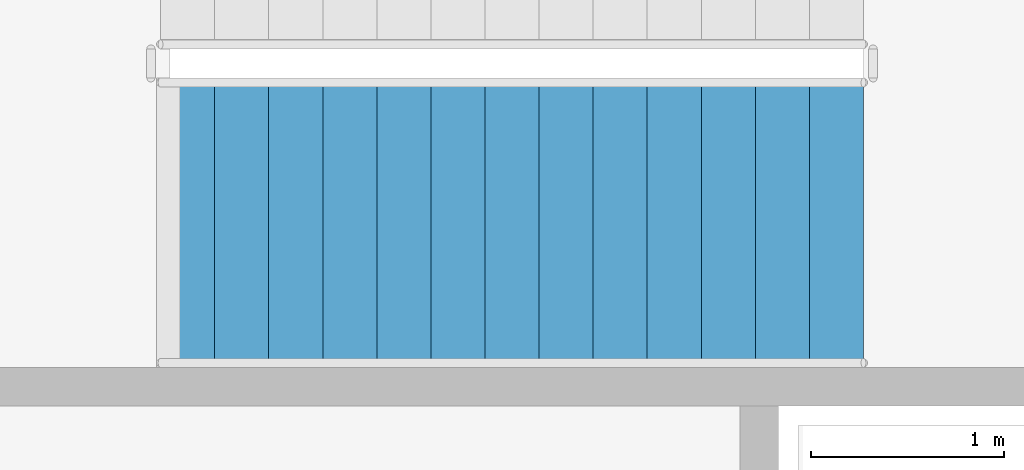
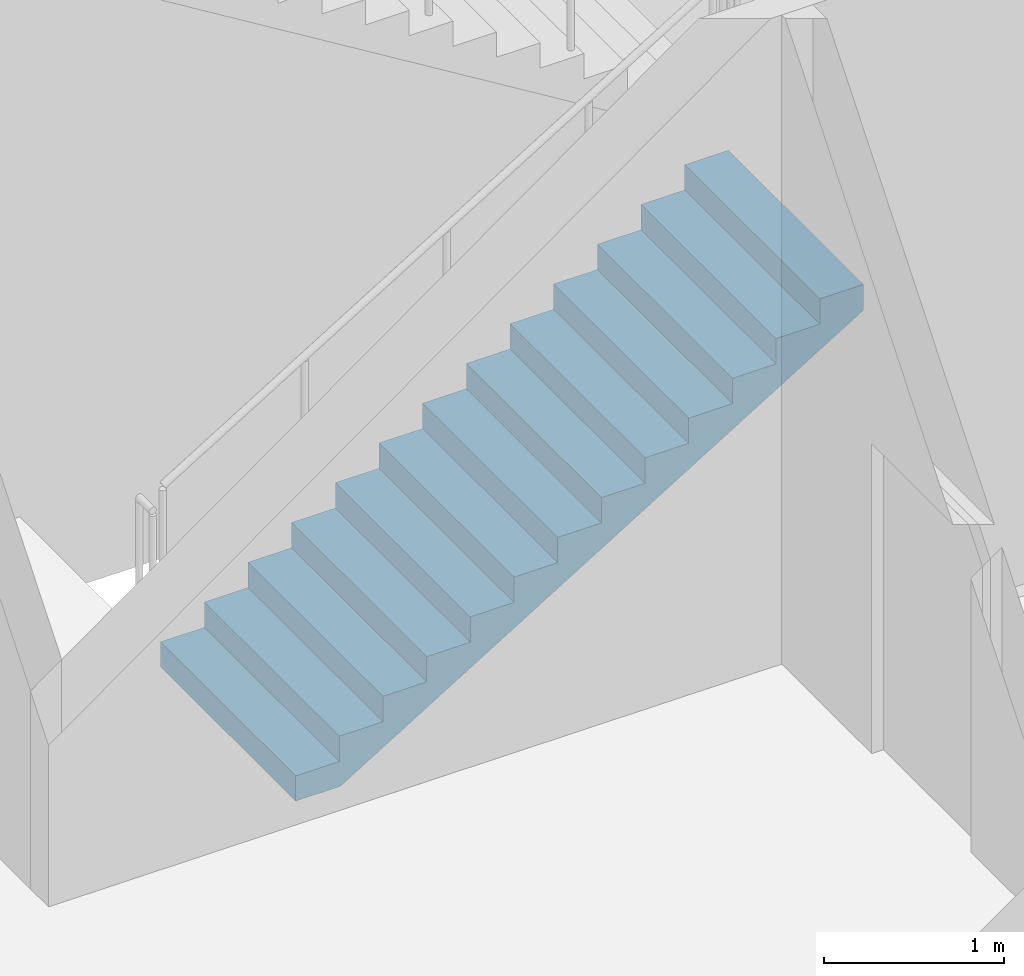
# One storey, part 71 of 91: 1 stair flight, 1 element without a shape of its own.
"""IFC4 building model written with IfcOpenShell, lengths in metres."""

from ifc_helpers import new_model, si_unit, direction, frame, origin, place, context, subcontext, project, spatial, triangles, material, type_object, element, aggregate, save


model = new_model("IFC4")

# Units and contexts
model_context = context("Model", 3, precision=1e-05, world=origin(), true_north=direction((0.0, 1.0)))
body_context = subcontext(model_context, "Body", "Model", "MODEL_VIEW")
ifc_project = project(units=[si_unit("LENGTHUNIT", "METRE"), si_unit("AREAUNIT", "SQUARE_METRE"), si_unit("VOLUMEUNIT", "CUBIC_METRE"), si_unit("PLANEANGLEUNIT", "RADIAN"), si_unit("MASSUNIT", "GRAM", prefix="KILO")], contexts=[model_context])

# Site, building, storey
site_placement = place(None, origin())
site = spatial("IfcSite", under=ifc_project, at=site_placement, CompositionType="ELEMENT")
building_placement = place(site_placement, origin())
building = spatial("IfcBuilding", under=site, at=building_placement, Name="Magnolia Steps Interchange", CompositionType="ELEMENT")
storey_placement = place(building_placement, origin())
storey = spatial("IfcBuildingStorey", under=building, at=storey_placement, Name="L00", CompositionType="ELEMENT", Elevation=0.0)

# Stair, stair flight
ifc_material_1 = material(Name="Concrete C40", Category="concrete")
stair_type = type_object("IfcStairType", Name="Exit stair 1500", PredefinedType="HALF_TURN_STAIR", material=ifc_material_1)
stair_placement = place(storey_placement, origin())
stair = element("IfcStair", 1, at=stair_placement, inside=storey, type_object=stair_type, Name="L00 Stair 3", PredefinedType="HALF_TURN_STAIR")
ifc_material_2 = material(Name="Concrete C40", Category="concrete")
stair_flight_type = type_object("IfcStairFlightType", Name="Exit stair flight", PredefinedType="STRAIGHT", material=ifc_material_2)
stair_flight_placement = place(storey_placement, frame((112.199951171875, 82.699951171875, 0.0), z_axis=(0.0, 0.0, 1.0), x_axis=(1.0, 0.0, 0.0)))
stair_flight = element("IfcStairFlight", 2, at=stair_flight_placement, type_object=stair_flight_type, Name="Stair 3 flight 1", NumberOfRisers=14, NumberOfTreads=13, PredefinedType="STRAIGHT", RiserHeight=0.171428571, TreadLength=0.28, context=body_context, shape_type="Tessellation", body=[
    triangles([(0.0, -0.75, 0.0), (0.287109375, -0.75, 0.0), (3.639892578125, -0.75, 2.052734375), (3.639892578125, -0.75, 2.228515625), (3.360107421875, -0.75, 2.228515625), (3.360107421875, -0.75, 2.05712890625), (3.080078125, -0.75, 2.05712890625), (3.080078125, -0.75, 1.8857421875), (2.800048828125, -0.75, 1.8857421875), (2.800048828125, -0.75, 1.71435546875), (2.52001953125, -0.75, 1.71435546875), (2.52001953125, -0.75, 1.54296875), (2.239990234375, -0.75, 1.54296875), (2.239990234375, -0.75, 1.371337890625), (1.9599609375, -0.75, 1.371337890625), (1.9599609375, -0.75, 1.199951171875), (1.679931640625, -0.75, 1.199951171875), (1.679931640625, -0.75, 1.028564453125), (1.39990234375, -0.75, 1.028564453125), (1.39990234375, -0.75, 0.857177734375), (1.1201171875, -0.75, 0.857177734375), (1.1201171875, -0.75, 0.685791015625), (0.840087890625, -0.75, 0.685791015625), (0.840087890625, -0.75, 0.514404296875), (0.56005859375, -0.75, 0.514404296875), (0.56005859375, -0.75, 0.3427734375), (0.280029296875, -0.75, 0.3427734375), (0.280029296875, -0.75, 0.17138671875), (0.0, -0.75, 0.17138671875), (0.0, 0.75, 0.0), (0.287109375, 0.75, 0.0), (3.639892578125, 0.75, 2.052734375), (3.639892578125, 0.75, 2.228515625), (3.360107421875, 0.75, 2.228515625), (3.360107421875, 0.75, 2.05712890625), (3.080078125, 0.75, 2.05712890625), (3.080078125, 0.75, 1.8857421875), (2.800048828125, 0.75, 1.8857421875), (2.800048828125, 0.75, 1.71435546875), (2.52001953125, 0.75, 1.71435546875), (2.52001953125, 0.75, 1.54296875), (2.239990234375, 0.75, 1.54296875), (2.239990234375, 0.75, 1.371337890625), (1.9599609375, 0.75, 1.371337890625), (1.9599609375, 0.75, 1.199951171875), (1.679931640625, 0.75, 1.199951171875), (1.679931640625, 0.75, 1.028564453125), (1.39990234375, 0.75, 1.028564453125), (1.39990234375, 0.75, 0.857177734375), (1.1201171875, 0.75, 0.857177734375), (1.1201171875, 0.75, 0.685791015625), (0.840087890625, 0.75, 0.685791015625), (0.840087890625, 0.75, 0.514404296875), (0.56005859375, 0.75, 0.514404296875), (0.56005859375, 0.75, 0.3427734375), (0.280029296875, 0.75, 0.3427734375), (0.280029296875, 0.75, 0.17138671875), (0.0, 0.75, 0.17138671875), (0.0, 0.0, 0.0), (0.0, 0.0, 0.0428466796875), (0.0, 0.0, 0.085693359375), (0.0, 0.0, 0.1285400390625), (0.0, 0.0, 0.17138671875), (0.0, -0.05, 0.0), (0.0, -0.05, 0.17138671875), (0.0, 0.05, 0.0), (0.0, 0.05, 0.17138671875), (0.046671549479166664, 0.0, 0.17138671875), (0.09334309895833333, 0.0, 0.17138671875), (0.1400146484375, 0.0, 0.17138671875), (0.18668619791666666, 0.0, 0.17138671875), (0.23335774739583334, 0.0, 0.17138671875), (0.280029296875, 0.0, 0.17138671875), (0.280029296875, -0.05, 0.17138671875), (0.280029296875, 0.05, 0.17138671875), (0.280029296875, 0.0, 0.2142333984375), (0.280029296875, 0.0, 0.257080078125), (0.280029296875, 0.0, 0.2999267578125), (0.280029296875, 0.0, 0.3427734375), (0.280029296875, -0.05, 0.3427734375), (0.280029296875, 0.05, 0.3427734375), (0.3267008463541667, 0.0, 0.3427734375), (0.3733723958333333, 0.0, 0.3427734375), (0.4200439453125, 0.0, 0.3427734375), (0.46671549479166663, 0.0, 0.3427734375), (0.5133870442708334, 0.0, 0.3427734375), (0.56005859375, 0.0, 0.3427734375), (0.56005859375, -0.05, 0.3427734375), (0.56005859375, 0.05, 0.3427734375), (0.56005859375, 0.0, 0.38568115234375), (0.56005859375, 0.0, 0.4285888671875), (0.56005859375, 0.0, 0.47149658203125), (0.56005859375, 0.0, 0.514404296875), (0.56005859375, -0.05, 0.514404296875), (0.56005859375, 0.05, 0.514404296875), (0.6067301432291666, 0.0, 0.514404296875), (0.6534016927083334, 0.0, 0.514404296875), (0.7000732421875, 0.0, 0.514404296875), (0.7467447916666666, 0.0, 0.514404296875), (0.7934163411458334, 0.0, 0.514404296875), (0.840087890625, 0.0, 0.514404296875), (0.840087890625, -0.05, 0.514404296875), (0.840087890625, 0.05, 0.514404296875), (0.840087890625, 0.0, 0.5572509765625), (0.840087890625, 0.0, 0.60009765625), (0.840087890625, 0.0, 0.6429443359375), (0.840087890625, 0.0, 0.685791015625), (0.840087890625, -0.05, 0.685791015625), (0.840087890625, 0.05, 0.685791015625), (0.8867594401041666, 0.0, 0.685791015625), (0.9334309895833334, 0.0, 0.685791015625), (0.9801025390625, 0.0, 0.685791015625), (1.0267740885416667, 0.0, 0.685791015625), (1.0734456380208333, 0.0, 0.685791015625), (1.1201171875, 0.0, 0.685791015625), (1.1201171875, -0.05, 0.685791015625), (1.1201171875, 0.05, 0.685791015625), (1.1201171875, 0.0, 0.7286376953125), (1.1201171875, 0.0, 0.771484375), (1.1201171875, 0.0, 0.8143310546875), (1.1201171875, 0.0, 0.857177734375), (1.1201171875, -0.05, 0.857177734375), (1.1201171875, 0.05, 0.857177734375), (1.1900634765625, 0.0, 0.857177734375), (1.260009765625, 0.0, 0.857177734375), (1.3299560546875, 0.0, 0.857177734375), (1.39990234375, 0.0, 0.857177734375), (1.39990234375, -0.05, 0.857177734375), (1.39990234375, 0.05, 0.857177734375), (1.39990234375, 0.0, 0.9000244140625), (1.39990234375, 0.0, 0.94287109375), (1.39990234375, 0.0, 0.9857177734375), (1.39990234375, 0.0, 1.028564453125), (1.39990234375, -0.05, 1.028564453125), (1.39990234375, 0.05, 1.028564453125), (1.4465738932291667, 0.0, 1.028564453125), (1.4932454427083333, 0.0, 1.028564453125), (1.5399169921875, 0.0, 1.028564453125), (1.5865885416666667, 0.0, 1.028564453125), (1.6332600911458333, 0.0, 1.028564453125), (1.679931640625, 0.0, 1.028564453125), (1.679931640625, -0.05, 1.028564453125), (1.679931640625, 0.05, 1.028564453125), (1.679931640625, 0.0, 1.0714111328125), (1.679931640625, 0.0, 1.1142578125), (1.679931640625, 0.0, 1.1571044921875), (1.679931640625, 0.0, 1.199951171875), (1.679931640625, -0.05, 1.199951171875), (1.679931640625, 0.05, 1.199951171875), (1.7266031901041667, 0.0, 1.199951171875), (1.7732747395833333, 0.0, 1.199951171875), (1.8199462890625, 0.0, 1.199951171875), (1.8666178385416667, 0.0, 1.199951171875), (1.9132893880208333, 0.0, 1.199951171875), (1.9599609375, 0.0, 1.199951171875), (1.9599609375, -0.05, 1.199951171875), (1.9599609375, 0.05, 1.199951171875), (1.9599609375, 0.0, 1.2427978515625), (1.9599609375, 0.0, 1.28564453125), (1.9599609375, 0.0, 1.3284912109375), (1.9599609375, 0.0, 1.371337890625), (1.9599609375, -0.05, 1.371337890625), (1.9599609375, 0.05, 1.371337890625), (2.0066324869791665, 0.0, 1.371337890625), (2.0533040364583335, 0.0, 1.371337890625), (2.0999755859375, 0.0, 1.371337890625), (2.1466471354166665, 0.0, 1.371337890625), (2.1933186848958335, 0.0, 1.371337890625), (2.239990234375, 0.0, 1.371337890625), (2.239990234375, -0.05, 1.371337890625), (2.239990234375, 0.05, 1.371337890625), (2.239990234375, 0.0, 1.41424560546875), (2.239990234375, 0.0, 1.4571533203125), (2.239990234375, 0.0, 1.50006103515625), (2.239990234375, 0.0, 1.54296875), (2.239990234375, -0.05, 1.54296875), (2.239990234375, 0.05, 1.54296875), (2.2866617838541665, 0.0, 1.54296875), (2.3333333333333335, 0.0, 1.54296875), (2.3800048828125, 0.0, 1.54296875), (2.4266764322916665, 0.0, 1.54296875), (2.4733479817708335, 0.0, 1.54296875), (2.52001953125, 0.0, 1.54296875), (2.52001953125, -0.05, 1.54296875), (2.52001953125, 0.05, 1.54296875), (2.52001953125, 0.0, 1.5858154296875), (2.52001953125, 0.0, 1.628662109375), (2.52001953125, 0.0, 1.6715087890625), (2.52001953125, 0.0, 1.71435546875), (2.52001953125, -0.05, 1.71435546875), (2.52001953125, 0.05, 1.71435546875), (2.5666910807291665, 0.0, 1.71435546875), (2.6133626302083335, 0.0, 1.71435546875), (2.6600341796875, 0.0, 1.71435546875), (2.7067057291666665, 0.0, 1.71435546875), (2.7533772786458335, 0.0, 1.71435546875), (2.800048828125, 0.0, 1.71435546875), (2.800048828125, -0.05, 1.71435546875), (2.800048828125, 0.05, 1.71435546875), (2.800048828125, 0.0, 1.7572021484375), (2.800048828125, 0.0, 1.800048828125), (2.800048828125, 0.0, 1.8428955078125), (2.800048828125, 0.0, 1.8857421875), (2.800048828125, -0.05, 1.8857421875), (2.800048828125, 0.05, 1.8857421875), (2.8467203776041665, 0.0, 1.8857421875), (2.8933919270833335, 0.0, 1.8857421875), (2.9400634765625, 0.0, 1.8857421875), (2.9867350260416665, 0.0, 1.8857421875), (3.0334065755208335, 0.0, 1.8857421875), (3.080078125, 0.0, 1.8857421875), (3.080078125, -0.05, 1.8857421875), (3.080078125, 0.05, 1.8857421875), (3.080078125, 0.0, 1.9285888671875), (3.080078125, 0.0, 1.971435546875), (3.080078125, 0.0, 2.0142822265625), (3.080078125, 0.0, 2.05712890625), (3.080078125, -0.05, 2.05712890625), (3.080078125, 0.05, 2.05712890625), (3.1267496744791665, 0.0, 2.05712890625), (3.1734212239583335, 0.0, 2.05712890625), (3.2200927734375, 0.0, 2.05712890625), (3.2667643229166665, 0.0, 2.05712890625), (3.3134358723958335, 0.0, 2.05712890625), (3.360107421875, 0.0, 2.05712890625), (3.360107421875, -0.05, 2.05712890625), (3.360107421875, 0.05, 2.05712890625), (3.360107421875, 0.0, 2.0999755859375), (3.360107421875, 0.0, 2.142822265625), (3.360107421875, 0.0, 2.1856689453125), (3.360107421875, 0.0, 2.228515625), (3.360107421875, -0.05, 2.228515625), (3.360107421875, 0.05, 2.228515625), (3.4300537109375, 0.0, 2.228515625), (3.5, 0.0, 2.228515625), (3.5699462890625, 0.0, 2.228515625), (3.639892578125, 0.0, 2.228515625), (3.639892578125, -0.05, 2.228515625), (3.639892578125, 0.05, 2.228515625), (3.639892578125, 0.0, 2.1845703125), (3.639892578125, 0.0, 2.140625), (3.639892578125, 0.0, 2.0966796875), (3.639892578125, 0.0, 2.052734375), (3.639892578125, -0.05, 2.052734375), (3.639892578125, 0.05, 2.052734375), (3.582085971174569, 0.0, 2.0173424030172415), (3.524279364224138, 0.0, 1.9819504310344827), (3.466472757273707, 0.0, 1.9465584590517242), (3.408666150323276, 0.0, 1.9111664870689655), (3.3508595433728448, 0.0, 1.8757745150862069), (3.2930529364224137, 0.0, 1.8403825431034484), (3.2352463294719827, 0.0, 1.8049905711206897), (3.1774397225215516, 0.0, 1.769598599137931), (3.1196331155711206, 0.0, 1.7342066271551724), (3.0618265086206895, 0.0, 1.6988146551724137), (3.004019901670259, 0.0, 1.6634226831896552), (2.9462132947198274, 0.0, 1.6280307112068966), (2.888406687769397, 0.0, 1.592638739224138), (2.8306000808189653, 0.0, 1.5572467672413794), (2.7727934738685347, 0.0, 1.5218547952586206), (2.714986866918103, 0.0, 1.486462823275862), (2.6571802599676726, 0.0, 1.4510708512931034), (2.599373653017241, 0.0, 1.4156788793103448), (2.5415670460668105, 0.0, 1.3802869073275863), (2.483760439116379, 0.0, 1.3448949353448276), (2.4259538321659484, 0.0, 1.309502963362069), (2.3681472252155173, 0.0, 1.2741109913793105), (2.3103406182650863, 0.0, 1.2387190193965516), (2.2525340113146552, 0.0, 1.2033270474137931), (2.194727404364224, 0.0, 1.1679350754310345), (2.136920797413793, 0.0, 1.1325431034482758), (2.079114190463362, 0.0, 1.0971511314655173), (2.021307583512931, 0.0, 1.0617591594827587), (1.9635009765625, 0.0, 1.0263671875), (1.905694369612069, 0.0, 0.9909752155172413), (1.847887762661638, 0.0, 0.9555832435344827), (1.7900811557112069, 0.0, 0.9201912715517242), (1.7322745487607758, 0.0, 0.8847992995689655), (1.6744679418103448, 0.0, 0.8494073275862069), (1.6166613348599137, 0.0, 0.8140153556034482), (1.5588547279094827, 0.0, 0.7786233836206897), (1.5010481209590516, 0.0, 0.743231411637931), (1.4432415140086206, 0.0, 0.7078394396551724), (1.3854349070581895, 0.0, 0.6724474676724137), (1.3276283001077585, 0.0, 0.6370554956896552), (1.2698216931573274, 0.0, 0.6016635237068966), (1.2120150862068964, 0.0, 0.5662715517241379), (1.1542084792564653, 0.0, 0.5308795797413792), (1.0964018723060347, 0.0, 0.4954876077586208), (1.0385952653556036, 0.0, 0.4600956357758621), (0.9807886584051726, 0.0, 0.4247036637931034), (0.9229820514547415, 0.0, 0.38931169181034475), (0.8651754445043105, 0.0, 0.3539197198275863), (0.8073688375538794, 0.0, 0.3185277478448276), (0.7495622306034484, 0.0, 0.28313577586206895), (0.6917556236530173, 0.0, 0.24774380387931028), (0.6339490167025863, 0.0, 0.21235183189655182), (0.5761424097521552, 0.0, 0.17695985991379315), (0.5183358028017242, 0.0, 0.14156788793103448), (0.46052919585129315, 0.0, 0.1061759159482758), (0.4027225889008621, 0.0, 0.07078394396551735), (0.34491598195043105, 0.0, 0.03539197198275845), (0.287109375, 0.0, 0.0), (0.287109375, -0.05, 0.0), (0.287109375, 0.05, 0.0), (0.2392578125, 0.0, 0.0), (0.19140625, 0.0, 0.0), (0.1435546875, 0.0, 0.0), (0.095703125, 0.0, 0.0), (0.0478515625, 0.0, 0.0)], [[1, 2, 3], [3, 4, 5], [3, 5, 6], [3, 6, 7], [3, 7, 8], [8, 9, 10], [3, 8, 10], [10, 11, 12], [3, 10, 12], [12, 13, 14], [3, 12, 14], [14, 15, 16], [3, 14, 16], [16, 17, 18], [3, 16, 18], [18, 19, 20], [3, 18, 20], [20, 21, 22], [3, 20, 22], [22, 23, 24], [3, 22, 24], [24, 25, 26], [3, 24, 26], [26, 27, 28], [3, 26, 28], [1, 3, 28], [28, 29, 1], [30, 32, 31], [32, 34, 33], [32, 35, 34], [32, 36, 35], [32, 37, 36], [37, 39, 38], [32, 39, 37], [39, 41, 40], [32, 41, 39], [41, 43, 42], [32, 43, 41], [43, 45, 44], [32, 45, 43], [45, 47, 46], [32, 47, 45], [47, 49, 48], [32, 49, 47], [49, 51, 50], [32, 51, 49], [51, 53, 52], [32, 53, 51], [53, 55, 54], [32, 55, 53], [55, 57, 56], [32, 57, 55], [30, 57, 32], [57, 30, 58], [1, 29, 65], [1, 65, 64], [64, 60, 59], [64, 61, 60], [64, 65, 61], [65, 62, 61], [65, 63, 62], [30, 67, 58], [30, 66, 67], [66, 59, 60], [66, 60, 61], [66, 61, 67], [67, 61, 62], [67, 62, 63], [29, 28, 74], [29, 74, 65], [65, 68, 63], [65, 69, 68], [65, 70, 69], [65, 74, 70], [74, 71, 70], [74, 72, 71], [74, 73, 72], [58, 75, 57], [58, 67, 75], [67, 63, 68], [67, 68, 69], [67, 69, 70], [67, 70, 75], [75, 70, 71], [75, 71, 72], [75, 72, 73], [28, 27, 80], [28, 80, 74], [74, 76, 73], [74, 77, 76], [74, 80, 77], [80, 78, 77], [80, 79, 78], [57, 81, 56], [57, 75, 81], [75, 73, 76], [75, 76, 77], [75, 77, 81], [81, 77, 78], [81, 78, 79], [27, 26, 88], [27, 88, 80], [80, 82, 79], [80, 83, 82], [80, 84, 83], [80, 88, 84], [88, 85, 84], [88, 86, 85], [88, 87, 86], [56, 89, 55], [56, 81, 89], [81, 79, 82], [81, 82, 83], [81, 83, 84], [81, 84, 89], [89, 84, 85], [89, 85, 86], [89, 86, 87], [26, 25, 94], [26, 94, 88], [88, 90, 87], [88, 91, 90], [88, 94, 91], [94, 92, 91], [94, 93, 92], [55, 95, 54], [55, 89, 95], [89, 87, 90], [89, 90, 91], [89, 91, 95], [95, 91, 92], [95, 92, 93], [25, 24, 102], [25, 102, 94], [94, 96, 93], [94, 97, 96], [94, 98, 97], [94, 102, 98], [102, 99, 98], [102, 100, 99], [102, 101, 100], [54, 103, 53], [54, 95, 103], [95, 93, 96], [95, 96, 97], [95, 97, 98], [95, 98, 103], [103, 98, 99], [103, 99, 100], [103, 100, 101], [24, 23, 108], [24, 108, 102], [102, 104, 101], [102, 105, 104], [102, 108, 105], [108, 106, 105], [108, 107, 106], [53, 109, 52], [53, 103, 109], [103, 101, 104], [103, 104, 105], [103, 105, 109], [109, 105, 106], [109, 106, 107], [23, 22, 116], [23, 116, 108], [108, 110, 107], [108, 111, 110], [108, 112, 111], [108, 116, 112], [116, 113, 112], [116, 114, 113], [116, 115, 114], [52, 117, 51], [52, 109, 117], [109, 107, 110], [109, 110, 111], [109, 111, 112], [109, 112, 117], [117, 112, 113], [117, 113, 114], [117, 114, 115], [22, 21, 122], [22, 122, 116], [116, 118, 115], [116, 119, 118], [116, 122, 119], [122, 120, 119], [122, 121, 120], [51, 123, 50], [51, 117, 123], [117, 115, 118], [117, 118, 119], [117, 119, 123], [123, 119, 120], [123, 120, 121], [21, 20, 128], [21, 128, 122], [122, 124, 121], [122, 125, 124], [122, 128, 125], [128, 126, 125], [128, 127, 126], [50, 129, 49], [50, 123, 129], [123, 121, 124], [123, 124, 125], [123, 125, 129], [129, 125, 126], [129, 126, 127], [20, 19, 134], [20, 134, 128], [128, 130, 127], [128, 131, 130], [128, 134, 131], [134, 132, 131], [134, 133, 132], [49, 135, 48], [49, 129, 135], [129, 127, 130], [129, 130, 131], [129, 131, 135], [135, 131, 132], [135, 132, 133], [19, 18, 142], [19, 142, 134], [134, 136, 133], [134, 137, 136], [134, 138, 137], [134, 142, 138], [142, 139, 138], [142, 140, 139], [142, 141, 140], [48, 143, 47], [48, 135, 143], [135, 133, 136], [135, 136, 137], [135, 137, 138], [135, 138, 143], [143, 138, 139], [143, 139, 140], [143, 140, 141], [18, 17, 148], [18, 148, 142], [142, 144, 141], [142, 145, 144], [142, 148, 145], [148, 146, 145], [148, 147, 146], [47, 149, 46], [47, 143, 149], [143, 141, 144], [143, 144, 145], [143, 145, 149], [149, 145, 146], [149, 146, 147], [17, 16, 156], [17, 156, 148], [148, 150, 147], [148, 151, 150], [148, 152, 151], [148, 156, 152], [156, 153, 152], [156, 154, 153], [156, 155, 154], [46, 157, 45], [46, 149, 157], [149, 147, 150], [149, 150, 151], [149, 151, 152], [149, 152, 157], [157, 152, 153], [157, 153, 154], [157, 154, 155], [16, 15, 162], [16, 162, 156], [156, 158, 155], [156, 159, 158], [156, 162, 159], [162, 160, 159], [162, 161, 160], [45, 163, 44], [45, 157, 163], [157, 155, 158], [157, 158, 159], [157, 159, 163], [163, 159, 160], [163, 160, 161], [15, 14, 170], [15, 170, 162], [162, 164, 161], [162, 165, 164], [162, 166, 165], [162, 170, 166], [170, 167, 166], [170, 168, 167], [170, 169, 168], [44, 171, 43], [44, 163, 171], [163, 161, 164], [163, 164, 165], [163, 165, 166], [163, 166, 171], [171, 166, 167], [171, 167, 168], [171, 168, 169], [14, 13, 176], [14, 176, 170], [170, 172, 169], [170, 173, 172], [170, 176, 173], [176, 174, 173], [176, 175, 174], [43, 177, 42], [43, 171, 177], [171, 169, 172], [171, 172, 173], [171, 173, 177], [177, 173, 174], [177, 174, 175], [13, 12, 184], [13, 184, 176], [176, 178, 175], [176, 179, 178], [176, 180, 179], [176, 184, 180], [184, 181, 180], [184, 182, 181], [184, 183, 182], [42, 185, 41], [42, 177, 185], [177, 175, 178], [177, 178, 179], [177, 179, 180], [177, 180, 185], [185, 180, 181], [185, 181, 182], [185, 182, 183], [12, 11, 190], [12, 190, 184], [184, 186, 183], [184, 187, 186], [184, 190, 187], [190, 188, 187], [190, 189, 188], [41, 191, 40], [41, 185, 191], [185, 183, 186], [185, 186, 187], [185, 187, 191], [191, 187, 188], [191, 188, 189], [11, 10, 198], [11, 198, 190], [190, 192, 189], [190, 193, 192], [190, 194, 193], [190, 198, 194], [198, 195, 194], [198, 196, 195], [198, 197, 196], [40, 199, 39], [40, 191, 199], [191, 189, 192], [191, 192, 193], [191, 193, 194], [191, 194, 199], [199, 194, 195], [199, 195, 196], [199, 196, 197], [10, 9, 204], [10, 204, 198], [198, 200, 197], [198, 201, 200], [198, 204, 201], [204, 202, 201], [204, 203, 202], [39, 205, 38], [39, 199, 205], [199, 197, 200], [199, 200, 201], [199, 201, 205], [205, 201, 202], [205, 202, 203], [9, 8, 212], [9, 212, 204], [204, 206, 203], [204, 207, 206], [204, 208, 207], [204, 212, 208], [212, 209, 208], [212, 210, 209], [212, 211, 210], [38, 213, 37], [38, 205, 213], [205, 203, 206], [205, 206, 207], [205, 207, 208], [205, 208, 213], [213, 208, 209], [213, 209, 210], [213, 210, 211], [8, 7, 218], [8, 218, 212], [212, 214, 211], [212, 215, 214], [212, 218, 215], [218, 216, 215], [218, 217, 216], [37, 219, 36], [37, 213, 219], [213, 211, 214], [213, 214, 215], [213, 215, 219], [219, 215, 216], [219, 216, 217], [7, 6, 226], [7, 226, 218], [218, 220, 217], [218, 221, 220], [218, 222, 221], [218, 226, 222], [226, 223, 222], [226, 224, 223], [226, 225, 224], [36, 227, 35], [36, 219, 227], [219, 217, 220], [219, 220, 221], [219, 221, 222], [219, 222, 227], [227, 222, 223], [227, 223, 224], [227, 224, 225], [6, 5, 232], [6, 232, 226], [226, 228, 225], [226, 229, 228], [226, 232, 229], [232, 230, 229], [232, 231, 230], [35, 233, 34], [35, 227, 233], [227, 225, 228], [227, 228, 229], [227, 229, 233], [233, 229, 230], [233, 230, 231], [5, 4, 238], [5, 238, 232], [232, 234, 231], [232, 235, 234], [232, 238, 235], [238, 236, 235], [238, 237, 236], [34, 239, 33], [34, 233, 239], [233, 231, 234], [233, 234, 235], [233, 235, 239], [239, 235, 236], [239, 236, 237], [4, 3, 244], [4, 244, 238], [238, 240, 237], [238, 241, 240], [238, 244, 241], [244, 242, 241], [244, 243, 242], [33, 245, 32], [33, 239, 245], [239, 237, 240], [239, 240, 241], [239, 241, 245], [245, 241, 242], [245, 242, 243], [3, 2, 304], [3, 304, 244], [244, 246, 243], [244, 247, 246], [244, 248, 247], [244, 249, 248], [244, 250, 249], [244, 251, 250], [244, 252, 251], [244, 253, 252], [244, 254, 253], [244, 255, 254], [244, 256, 255], [244, 257, 256], [244, 258, 257], [244, 259, 258], [244, 260, 259], [244, 261, 260], [244, 262, 261], [244, 263, 262], [244, 264, 263], [244, 265, 264], [244, 266, 265], [244, 267, 266], [244, 268, 267], [244, 269, 268], [244, 270, 269], [244, 271, 270], [244, 272, 271], [244, 273, 272], [244, 274, 273], [244, 304, 274], [304, 275, 274], [304, 276, 275], [304, 277, 276], [304, 278, 277], [304, 279, 278], [304, 280, 279], [304, 281, 280], [304, 282, 281], [304, 283, 282], [304, 284, 283], [304, 285, 284], [304, 286, 285], [304, 287, 286], [304, 288, 287], [304, 289, 288], [304, 290, 289], [304, 291, 290], [304, 292, 291], [304, 293, 292], [304, 294, 293], [304, 295, 294], [304, 296, 295], [304, 297, 296], [304, 298, 297], [304, 299, 298], [304, 300, 299], [304, 301, 300], [304, 302, 301], [304, 303, 302], [32, 305, 31], [32, 245, 305], [245, 243, 246], [245, 246, 247], [245, 247, 248], [245, 248, 249], [245, 249, 250], [245, 250, 251], [245, 251, 252], [245, 252, 253], [245, 253, 254], [245, 254, 255], [245, 255, 256], [245, 256, 257], [245, 257, 258], [245, 258, 259], [245, 259, 260], [245, 260, 261], [245, 261, 262], [245, 262, 263], [245, 263, 264], [245, 264, 265], [245, 265, 266], [245, 266, 267], [245, 267, 268], [245, 268, 269], [245, 269, 270], [245, 270, 271], [245, 271, 272], [245, 272, 273], [245, 273, 274], [245, 274, 305], [305, 274, 275], [305, 275, 276], [305, 276, 277], [305, 277, 278], [305, 278, 279], [305, 279, 280], [305, 280, 281], [305, 281, 282], [305, 282, 283], [305, 283, 284], [305, 284, 285], [305, 285, 286], [305, 286, 287], [305, 287, 288], [305, 288, 289], [305, 289, 290], [305, 290, 291], [305, 291, 292], [305, 292, 293], [305, 293, 294], [305, 294, 295], [305, 295, 296], [305, 296, 297], [305, 297, 298], [305, 298, 299], [305, 299, 300], [305, 300, 301], [305, 301, 302], [305, 302, 303], [2, 1, 64], [2, 64, 304], [304, 306, 303], [304, 307, 306], [304, 308, 307], [304, 64, 308], [64, 309, 308], [64, 310, 309], [64, 59, 310], [31, 66, 30], [31, 305, 66], [305, 303, 306], [305, 306, 307], [305, 307, 308], [305, 308, 66], [66, 308, 309], [66, 309, 310], [66, 310, 59]], closed=True),
])
aggregate(stair, [stair_flight])

save(model, "model.ifc")
